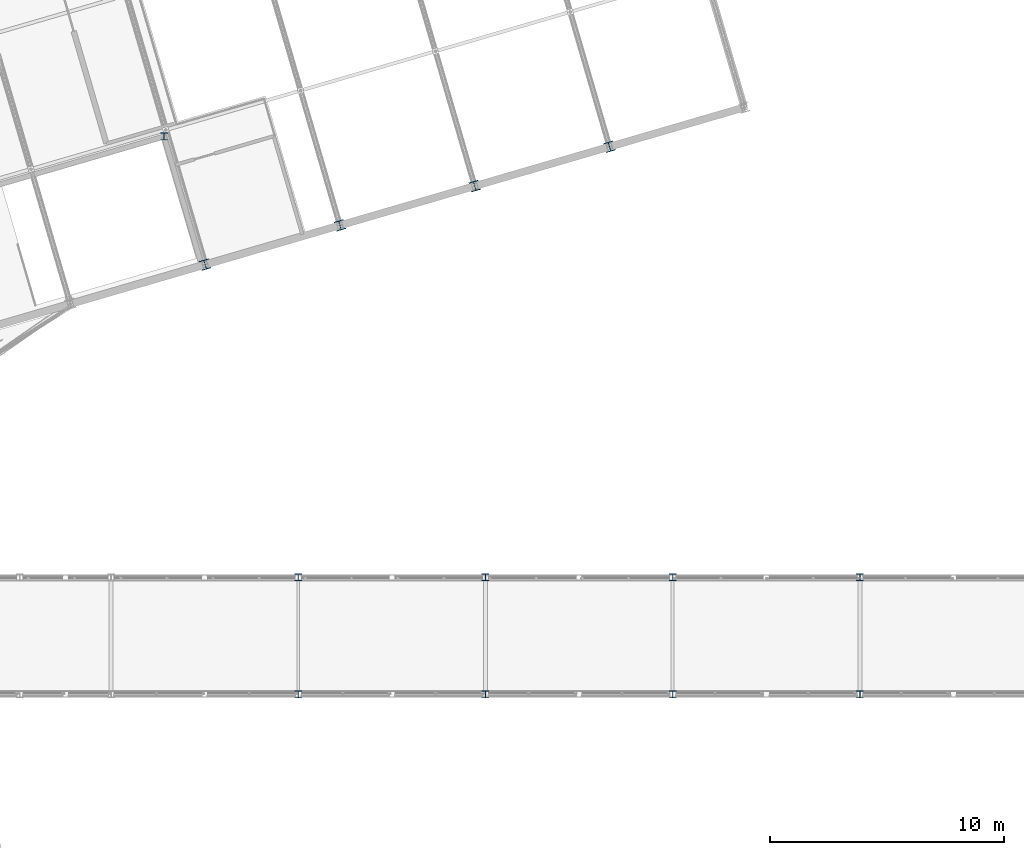
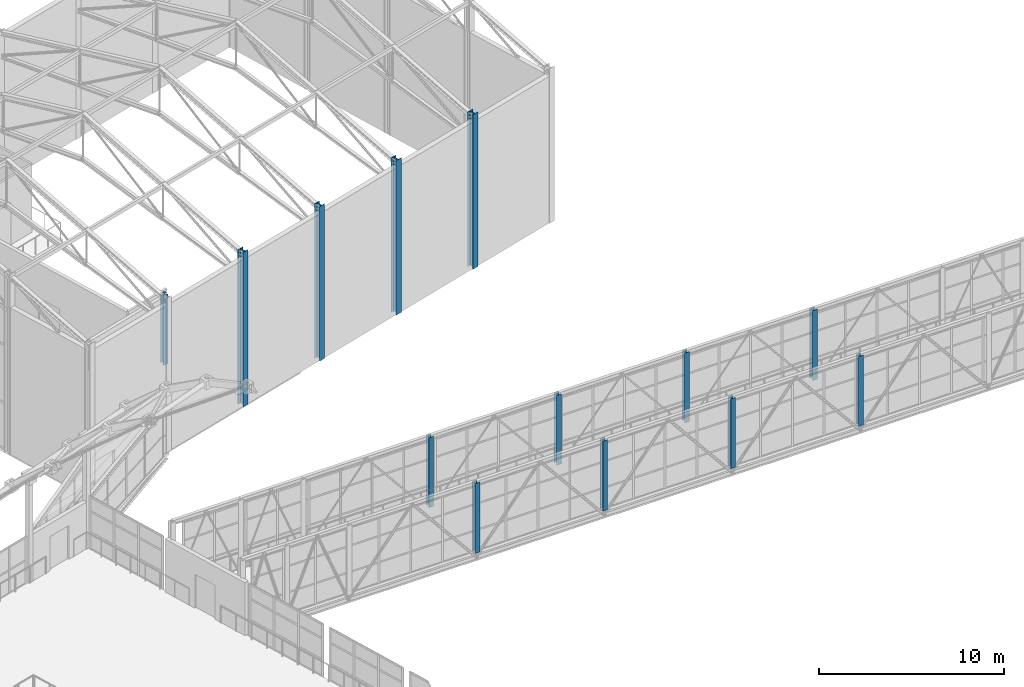
# One storey, part 12 of 248: 13 columns.
"""IFC4 building model written with IfcOpenShell, lengths in metres."""

import ifcopenshell
import ifcopenshell.guid

model = None  # the IFC model being written
_history = None  # IfcOwnerHistory: only IFC2X3 demands one
_inside = {}  # id of a spatial element -> (the spatial element, [elements in it])
_under = {}  # id of a project, library or spatial element -> (it, [spatial elements below it])
_declared = {}  # id of a project -> (the project, [libraries it declares])
_typed = {}  # id of a type object -> (the type object, [elements of that type])
_made_of = {}  # id of a material, layer set ... -> (it, [elements and type objects made of it])


def new_model(schema):
    """Start an empty IFC model of exactly this schema.

    Asked for "IFC4X3", IfcOpenShell would pick the latest addendum, in which some entities
    have other attributes; the version numbers below select the first issue.
    IFC2X3 requires an IfcOwnerHistory on every rooted entity: one is made here for all.
    """
    global model, _history
    if schema == "IFC4X3":
        model = ifcopenshell.file(schema_version=(4, 3, 0, 0))
    else:
        model = ifcopenshell.file(schema=schema)
    _inside.clear()
    _under.clear()
    _declared.clear()
    _typed.clear()
    _made_of.clear()
    _history = None
    if model.schema == "IFC2X3":
        org = make("IfcOrganization", Name="unknown")
        user = make(
            "IfcPersonAndOrganization",
            ThePerson=make("IfcPerson", FamilyName="unknown"),
            TheOrganization=org,
        )
        app = make(
            "IfcApplication",
            ApplicationDeveloper=org,
            Version="unknown",
            ApplicationFullName="unknown",
            ApplicationIdentifier="unknown",
        )
        _history = make(
            "IfcOwnerHistory",
            OwningUser=user,
            OwningApplication=app,
            ChangeAction="ADDED",
            CreationDate=0,
        )
    return model


def make(cls, **values):
    """One entity of the class cls with the attributes given. An attribute that is None is left unset."""
    return model.create_entity(
        cls, **{name: value for name, value in values.items() if value is not None}
    )


def rooted(cls, **values):
    """An entity with a GlobalId (a new one), such as an element, a storey or a relation."""
    return make(cls, GlobalId=ifcopenshell.guid.new(), OwnerHistory=_history, **values)


def si_unit(unit_type, name, prefix=None):
    """IfcSIUnit, for example si_unit("LENGTHUNIT", "METRE", prefix="MILLI")."""
    return make("IfcSIUnit", UnitType=unit_type, Prefix=prefix, Name=name)


def assignment(units):
    """IfcUnitAssignment: the units of a project."""
    return None if units is None else make("IfcUnitAssignment", Units=units)


def point(xyz):
    """IfcCartesianPoint."""
    return None if xyz is None else make("IfcCartesianPoint", Coordinates=xyz)


def direction(xyz):
    """IfcDirection."""
    return None if xyz is None else make("IfcDirection", DirectionRatios=xyz)


def frame(location, z_axis=None, x_axis=None):
    """IfcAxis2Placement3D, a coordinate frame: its origin and axes. An axis left out is left unset."""
    return make(
        "IfcAxis2Placement3D",
        Location=point(location),
        Axis=direction(z_axis),
        RefDirection=direction(x_axis),
    )


def frame_2d(location, x_axis=None):
    """IfcAxis2Placement2D, a coordinate frame in the plane: its origin and x axis."""
    return make(
        "IfcAxis2Placement2D", Location=point(location), RefDirection=direction(x_axis)
    )


def origin():
    """The frame at (0, 0, 0) with its axes left unset."""
    return frame((0.0, 0.0, 0.0))


def origin_2d():
    """The frame at (0, 0) in the plane with its x axis left unset."""
    return frame_2d((0.0, 0.0))


def place(relative_to, where):
    """IfcLocalPlacement: puts the frame where relative to a parent placement (None: the world)."""
    return make(
        "IfcLocalPlacement", PlacementRelTo=relative_to, RelativePlacement=where
    )


def context(
    kind, dimensions, precision=None, world=None, true_north=None, identifier=None
):
    """IfcGeometricRepresentationContext, for example the 3D "Model" context."""
    return make(
        "IfcGeometricRepresentationContext",
        ContextIdentifier=identifier,
        ContextType=kind,
        CoordinateSpaceDimension=dimensions,
        Precision=precision,
        WorldCoordinateSystem=world,
        TrueNorth=true_north,
    )


def subcontext(parent, identifier, kind, view, scale=None):
    """IfcGeometricRepresentationSubContext, for example "Body" below "Model"."""
    return make(
        "IfcGeometricRepresentationSubContext",
        ContextIdentifier=identifier,
        ContextType=kind,
        ParentContext=parent,
        TargetScale=scale,
        TargetView=view,
    )


def project(units=None, contexts=None):
    """IfcProject with its units and contexts."""
    return rooted(
        "IfcProject",
        Name="project",
        RepresentationContexts=contexts,
        UnitsInContext=assignment(units),
    )


def spatial(cls, under=None, at=None, **own):
    """A site, building, storey or space (cls), placed at a placement, below another one or the project."""
    s = rooted(cls, ObjectPlacement=at, **own)
    if under is not None:
        _under.setdefault(under.id(), (under, []))[1].append(s)
    return s


def profile(cls, at=None, kind="AREA", **sizes):
    """A parametric profile (cls). Its sizes go by their IFC names, for example OverallWidth=200.0."""
    return make(cls, ProfileType=kind, Position=at, **sizes)


def i_section(**sizes):
    """IfcIShapeProfileDef."""
    return profile("IfcIShapeProfileDef", **sizes)


def extrude(swept, where, along, depth):
    """IfcExtrudedAreaSolid: the profile swept, set in the frame where, extruded along a direction by depth."""
    return make(
        "IfcExtrudedAreaSolid",
        SweptArea=swept,
        Position=where,
        ExtrudedDirection=direction(along),
        Depth=depth,
    )


def shape(context_of_items, identifier, shape_type, items):
    """IfcShapeRepresentation: the items that make up one representation, for example the "Body"."""
    return make(
        "IfcShapeRepresentation",
        ContextOfItems=context_of_items,
        RepresentationIdentifier=identifier,
        RepresentationType=shape_type,
        Items=items,
    )


def material(Name=None, Category=None):
    """IfcMaterial."""
    return make("IfcMaterial", Name=Name, Category=Category)


def material_profile(
    of_material, cross_section, Name=None, Category=None, Priority=None
):
    """IfcMaterialProfile: a cross section and its material."""
    return make(
        "IfcMaterialProfile",
        Name=Name,
        Material=of_material,
        Profile=cross_section,
        Priority=Priority,
        Category=Category,
    )


def profile_set(profiles, Name=None, composite=None):
    """IfcMaterialProfileSet."""
    return make(
        "IfcMaterialProfileSet",
        Name=Name,
        MaterialProfiles=profiles,
        CompositeProfile=composite,
    )


def made_of(thing, what):
    """Note that an element or type object is made of a material, layer set ...; save() writes the relation."""
    if what is not None:
        _made_of.setdefault(what.id(), (what, []))[1].append(thing)
    return thing


def type_object(cls, material=None, **own):
    """A type object (cls), such as IfcWallType, which elements share."""
    return made_of(rooted(cls, **own), material)


def element(
    cls,
    number,
    at=None,
    inside=None,
    cuts=None,
    type_object=None,
    material=None,
    context=None,
    identifier="Body",
    shape_type=None,
    held_by="IfcProductDefinitionShape",
    body=None,
    shapes=None,
    **own,
):
    """One element of the class cls, such as IfcWall. Its Tag is "e" and its number.

    at: its placement. inside: the storey or other place that contains it. cuts: it is an
    opening in that element (IfcRelVoidsElement). A single representation is given by context,
    identifier, shape_type and body (its items); several are given by shapes. held_by: the class
    of the entity that holds the representations. save() writes the other relations.
    """
    e = rooted(cls, Tag="e%d" % number, ObjectPlacement=at, **own)
    if body is not None:
        shapes = [shape(context, identifier, shape_type, body)]
    if shapes is not None:
        e.Representation = make(held_by, Representations=shapes)
    if inside is not None:
        _inside.setdefault(inside.id(), (inside, []))[1].append(e)
    if cuts is not None:
        rooted(
            "IfcRelVoidsElement", RelatingBuildingElement=cuts, RelatedOpeningElement=e
        )
    if type_object is not None:
        _typed.setdefault(type_object.id(), (type_object, []))[1].append(e)
    return made_of(e, material)


def aggregate(whole, parts):
    """IfcRelAggregates: a whole, such as a stair, and the parts it consists of."""
    return rooted("IfcRelAggregates", RelatingObject=whole, RelatedObjects=parts)


def save(model, path):
    """Write the relations noted so far, then the file.

    IfcRelAggregates (storeys below a building ...), IfcRelContainedInSpatialStructure (elements
    in a storey), IfcRelDefinesByType, IfcRelAssociatesMaterial and IfcRelDeclares: one each for
    every whole, place, type object, material and project.
    """
    for whole, parts in _under.values():
        aggregate(whole, parts)
    for where, things in _inside.values():
        rooted(
            "IfcRelContainedInSpatialStructure",
            RelatedElements=things,
            RelatingStructure=where,
        )
    for kind, things in _typed.values():
        rooted("IfcRelDefinesByType", RelatedObjects=things, RelatingType=kind)
    for what, things in _made_of.values():
        rooted("IfcRelAssociatesMaterial", RelatedObjects=things, RelatingMaterial=what)
    for by, libraries in _declared.values():
        rooted("IfcRelDeclares", RelatingContext=by, RelatedDefinitions=libraries)
    model.write(path)


model = new_model("IFC4")

# Units and contexts
model_context = context("Model", 3, precision=1e-05, world=origin(), true_north=direction((0.0, 1.0)))
body_context = subcontext(model_context, "Body", "Model", "MODEL_VIEW")
ifc_project = project(units=[si_unit("LENGTHUNIT", "METRE"), si_unit("AREAUNIT", "SQUARE_METRE"), si_unit("VOLUMEUNIT", "CUBIC_METRE"), si_unit("PLANEANGLEUNIT", "RADIAN"), si_unit("MASSUNIT", "GRAM", prefix="KILO")], contexts=[model_context])

# Site, building, storey
site_placement = place(None, origin())
site = spatial("IfcSite", under=ifc_project, at=site_placement, CompositionType="ELEMENT")
building_placement = place(site_placement, origin())
building = spatial("IfcBuilding", under=site, at=building_placement, Name="Canggui Botanical Conservatory", CompositionType="ELEMENT")
storey_placement = place(building_placement, frame((0.0, 0.0, 5.39990234375)))
storey = spatial("IfcBuildingStorey", under=building, at=storey_placement, Name="L02", CompositionType="ELEMENT", Elevation=5.39990234375)

# Columns
ifc_material = material(Name="Steel Q355B", Category="steel")
ifc_material_profile_1 = material_profile(ifc_material, i_section(OverallWidth=0.39990234375, OverallDepth=0.39990234375, WebThickness=0.012939453125, FlangeThickness=0.02099609375, FilletRadius=0.02197265625, at=origin_2d()), Name="HW 400x400x13x21")
ifc_profile_set_1 = profile_set([ifc_material_profile_1], Name="Steel Q355B")
column_type_1 = type_object("IfcColumnType", Name="COL-GZ03", PredefinedType="COLUMN", material=ifc_profile_set_1)
for number, where, z_axis, x_axis, name in (
    (1, (77.52001953125, 93.360107421875, 0.0), (0.0, 0.0, 1.0), (0.960000000041, 0.279999999861, 0.0), "Auditorium Upper Column L02-05"),
    (2, (83.280029296875, 95.0400390625, 0.0), (0.0, 0.0, 1.0), (0.960000000041, 0.279999999861, 0.0), "Auditorium Upper Column L02-07"),
    (3, (89.0400390625, 96.719970703125, 0.0), (0.0, 0.0, 1.0), (0.960000000041, 0.279999999861, 0.0), "Auditorium Upper Column L02-09"),
    (4, (94.800048828125, 98.39990234375, 0.0), (0.0, 0.0, 1.0), (0.960000000041, 0.279999999861, 0.0), "Auditorium Upper Column L02-11"),
):
    element("IfcColumn", number, at=place(storey_placement, frame(where, z_axis=z_axis, x_axis=x_axis)), inside=storey, type_object=column_type_1, Name=name, PredefinedType="COLUMN", context=body_context, shape_type="SweptSolid", body=[
        extrude(i_section(OverallWidth=0.39990234375, OverallDepth=0.39990234375, WebThickness=0.012939453125, FlangeThickness=0.02099609375, FilletRadius=0.02197265625, at=origin_2d()), origin(), (0.0, 0.0, 1.0), 10.22021484375),
    ])
ifc_material_profile_2 = material_profile(ifc_material, i_section(OverallWidth=0.300048828125, OverallDepth=0.300048828125, WebThickness=0.010009765625, FlangeThickness=0.014892578125, FilletRadius=0.01806640625, at=origin_2d()), Name="HW 300x300x10x15")
ifc_profile_set_2 = profile_set([ifc_material_profile_2], Name="Steel Q355B")
column_type_2 = type_object("IfcColumnType", Name="COL-GZ05", PredefinedType="COLUMN", material=ifc_profile_set_2)
for number, where, z_axis, x_axis, name in (
    (5, (81.5, 75.0, 0.0), (0.0, 0.0, 1.0), (1.0, 0.0, 0.0), "Skybridge Gallery Steel Column (81.5,75)"),
    (6, (81.5, 80.0, 0.0), (0.0, 0.0, 1.0), (1.0, 0.0, 0.0), "Skybridge Gallery Steel Column (81.5,80)"),
    (7, (89.5, 75.0, 0.0), (0.0, 0.0, 1.0), (1.0, 0.0, 0.0), "Skybridge Gallery Steel Column (89.5,75)"),
    (8, (89.5, 80.0, 0.0), (0.0, 0.0, 1.0), (1.0, 0.0, 0.0), "Skybridge Gallery Steel Column (89.5,80)"),
    (9, (97.5, 75.0, 0.0), (0.0, 0.0, 1.0), (1.0, 0.0, 0.0), "Skybridge Gallery Steel Column (97.5,75)"),
    (10, (97.5, 80.0, 0.0), (0.0, 0.0, 1.0), (1.0, 0.0, 0.0), "Skybridge Gallery Steel Column (97.5,80)"),
    (11, (105.5, 75.0, 0.0), (0.0, 0.0, 1.0), (1.0, 0.0, 0.0), "Skybridge Gallery Steel Column (105.5,75)"),
    (12, (105.5, 80.0, 0.0), (0.0, 0.0, 1.0), (1.0, 0.0, 0.0), "Skybridge Gallery Steel Column (105.5,80)"),
    (13, (75.76611328125, 98.837890625, 0.0), (0.0, 0.0, 1.0), (1.0, 0.0, 0.0), "Skybridge Gallery Steel Column (75.766,98.838)"),
):
    element("IfcColumn", number, at=place(storey_placement, frame(where, z_axis=z_axis, x_axis=x_axis)), inside=storey, type_object=column_type_2, Name=name, PredefinedType="COLUMN", context=body_context, shape_type="SweptSolid", body=[
        extrude(i_section(OverallWidth=0.300048828125, OverallDepth=0.300048828125, WebThickness=0.010009765625, FlangeThickness=0.014892578125, FilletRadius=0.01806640625, at=origin_2d()), origin(), (0.0, 0.0, 1.0), 4.6201171875),
    ])

save(model, "model.ifc")
